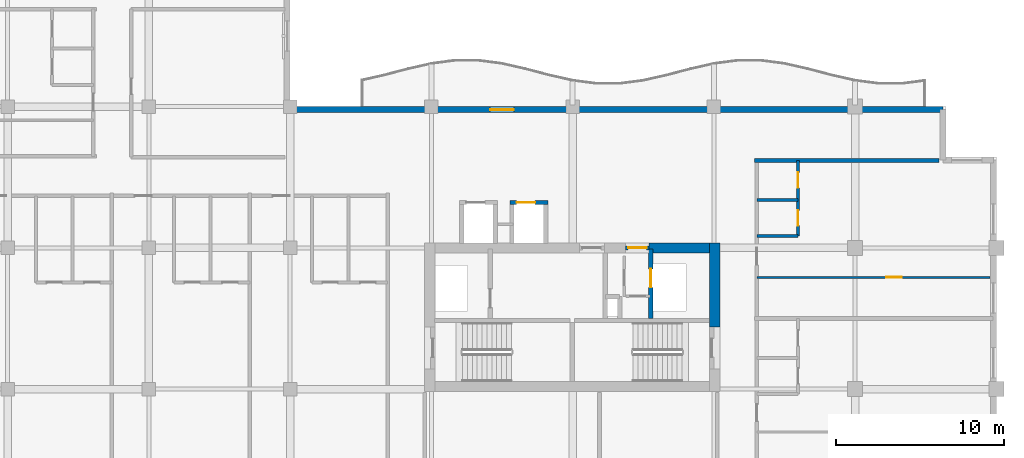
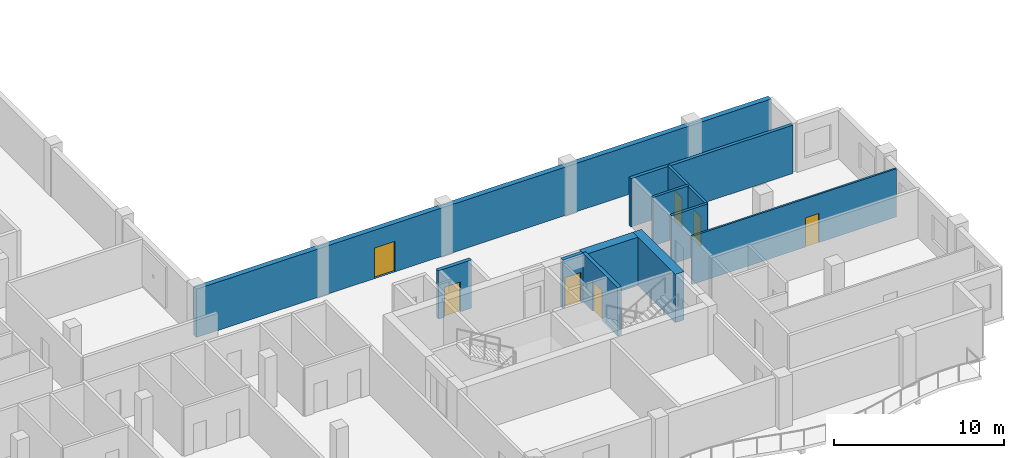
# One storey, part 5 of 12: 11 walls, 7 doors, 7 openings.
"""IFC4 building model written with IfcOpenShell, lengths in metres."""

from ifc_helpers import new_model, si_unit, direction, frame, frame_2d, origin, place, context, subcontext, project, spatial, rectangle, extrude, material, layer, layer_set, type_object, element, fill, save


model = new_model("IFC4")

# Units and contexts
model_context = context("Model", 3, precision=1e-05, world=origin(), true_north=direction((0.0, 1.0)))
body_context = subcontext(model_context, "Body", "Model", "MODEL_VIEW")
ifc_project = project(units=[si_unit("LENGTHUNIT", "METRE"), si_unit("AREAUNIT", "SQUARE_METRE"), si_unit("VOLUMEUNIT", "CUBIC_METRE"), si_unit("PLANEANGLEUNIT", "RADIAN"), si_unit("MASSUNIT", "GRAM", prefix="KILO")], contexts=[model_context])

# Site, building, storey
site_placement = place(None, origin())
site = spatial("IfcSite", under=ifc_project, at=site_placement, CompositionType="ELEMENT")
building_placement = place(site_placement, origin())
building = spatial("IfcBuilding", under=site, at=building_placement, Name="Koriwani Terraces Tower", CompositionType="ELEMENT")
storey_placement = place(building_placement, frame((0.0, 0.0, 249.0)))
storey = spatial("IfcBuildingStorey", under=building, at=storey_placement, Name="L61", CompositionType="ELEMENT", Elevation=249.0)

# Walls
ifc_material_1 = material(Name="Concrete C60/75", Category="concrete")
ifc_layer_1 = layer(ifc_material_1, 0.60009765625, Name="Concrete C60/75")
ifc_layer_set_1 = layer_set([ifc_layer_1], Name="Concrete C60/75")
wall_type_1 = type_object("IfcWallType", Name="WALL_CORE_RC_600", PredefinedType="SHEAR", material=ifc_layer_set_1)
wall_1_placement = place(storey_placement, frame((58.85009765625, 20.5, 0.0), z_axis=(0.0, 0.0, 1.0), x_axis=(0.0, 1.0, 0.0)))
element("IfcWall", 1, at=wall_1_placement, inside=storey, type_object=wall_type_1, Name="L61 East Split Core Shear Wall E2", PredefinedType="SHEAR", context=body_context, shape_type="SweptSolid", body=[
    extrude(rectangle(XDim=5.0, YDim=0.60009765625, at=frame_2d((2.5, 0.0))), origin(), (0.0, 0.0, 1.0), 3.469970703125),
])
wall_2_placement = place(storey_placement, frame((54.949951171875, 25.199951171875, 0.0), z_axis=(0.0, 0.0, 1.0), x_axis=(1.0, 0.0, 0.0)))
element("IfcWall", 2, at=wall_2_placement, inside=storey, type_object=wall_type_1, Name="L61 East Split Core Shear Wall N3", PredefinedType="SHEAR", context=body_context, shape_type="SweptSolid", body=[
    extrude(rectangle(XDim=3.60009765625, YDim=0.60009765625, at=frame_2d((1.800048828125, 0.0))), origin(), (0.0, 0.0, 1.0), 3.469970703125),
])
ifc_material_2 = material(Name="Autoclaved Cellular Concrete Blockwork", Category="masonry")
ifc_layer_2 = layer(ifc_material_2, 0.219970703125, Name="Autoclaved Cellular Concrete Blockwork")
ifc_layer_set_2 = layer_set([ifc_layer_2], Name="Autoclaved Cellular Concrete Blockwork")
wall_type_2 = type_object("IfcWallType", Name="WALL_DEMISING_220", PredefinedType="PARTITIONING", material=ifc_layer_set_2)
wall_3_placement = place(storey_placement, frame((61.199951171875, 30.39990234375, 0.0), z_axis=(0.0, 0.0, 1.0), x_axis=(1.0, 0.0, 0.0)))
element("IfcWall", 3, at=wall_3_placement, inside=storey, type_object=wall_type_2, Name="L61 Interior Wall WRDEME-L61-ETE", PredefinedType="PARTITIONING", context=body_context, shape_type="SweptSolid", body=[
    extrude(rectangle(XDim=10.97998046875, YDim=0.219970703125, at=frame_2d((5.489990234375, 0.0))), origin(), (0.0, 0.0, 1.0), 3.469970703125),
])

# Wall, opening, door
ifc_material_3 = material(Name="Concrete C50/60", Category="concrete")
ifc_layer_3 = layer(ifc_material_3, 0.35009765625, Name="Concrete C50/60")
ifc_layer_set_3 = layer_set([ifc_layer_3], Name="Concrete C50/60")
wall_type_3 = type_object("IfcWallType", Name="WALL_EXT_BRUTALIST_350", PredefinedType="STANDARD", material=ifc_layer_set_3)
wall_4_placement = place(storey_placement, frame((33.425048828125, 33.425048828125, 0.0), z_axis=(0.0, 0.0, 1.0), x_axis=(1.0, 0.0, 0.0)))
wall_4 = element("IfcWall", 4, at=wall_4_placement, inside=storey, type_object=wall_type_3, Name="L61 Fair-Faced Brutalist Exterior Wall (NE)", PredefinedType="STANDARD", context=body_context, shape_type="SweptSolid", body=[
    extrude(rectangle(XDim=39.0, YDim=0.35009765625, at=frame_2d((19.5, 0.0))), origin(), (0.0, 0.0, 1.0), 3.469970703125),
])
opening_1_placement = place(wall_4_placement, frame((12.074951171875, 0.0, 0.0)))
opening_1 = element("IfcOpeningElement", 5, at=opening_1_placement, cuts=wall_4, Name="Opening D-09", PredefinedType="OPENING", context=body_context, shape_type="SweptSolid", body=[
    extrude(rectangle(XDim=1.39990234375, YDim=2.199951171875, at=frame_2d((0.699951171875, 1.10009765625))), frame((0.0, 0.18505859375, 0.0), z_axis=(0.0, -1.0, 0.0), x_axis=(1.0, 0.0, 0.0)), (0.0, 0.0, 1.0), 0.3701171875),
])
ifc_material_4 = material(Name="Anodised Bronze Aluminium", Category="aluminium")
door_type_1 = type_object("IfcDoorType", Name="DOOR_BALCONY_GLAZED_1400X2200", OperationType="NOTDEFINED", PredefinedType="DOOR", material=ifc_material_4)
door_1_placement = place(opening_1_placement, origin())
door_1 = element("IfcDoor", 6, at=door_1_placement, inside=storey, type_object=door_type_1, Name="L61 Inner Court Balcony Glazed Door", OperationType="SINGLE_SWING_LEFT", OverallHeight=2.199951171875, OverallWidth=1.39990234375, PredefinedType="DOOR", context=body_context, shape_type="SweptSolid", body=[
    extrude(rectangle(XDim=1.39990234375, YDim=2.199951171875, at=frame_2d((0.699951171875, 1.10009765625))), frame((0.0, 0.02490234375, 0.0), z_axis=(0.0, -1.0, 0.0), x_axis=(1.0, 0.0, 0.0)), (0.0, 0.0, 1.0), 0.050048828125),
])
fill(opening_1, door_1)

ifc_material_5 = material(Name="Fire-Rated Acoustic Gypsum Partition", Category="masonry")
ifc_layer_4 = layer(ifc_material_5, 0.125, Name="Fire-Rated Acoustic Gypsum Partition")
ifc_layer_set_4 = layer_set([ifc_layer_4], Name="Fire-Rated Acoustic Gypsum Partition")
wall_type_4 = type_object("IfcWallType", Name="WALL_INT_125", PredefinedType="PARTITIONING", material=ifc_layer_set_4)
wall_5_placement = place(storey_placement, frame((61.35009765625, 23.449951171875, 0.0), z_axis=(0.0, 0.0, 1.0), x_axis=(1.0, 0.0, 0.0)))
wall_5 = element("IfcWall", 7, at=wall_5_placement, inside=storey, type_object=wall_type_4, Name="L61 Interior Wall WRBED1-L61-ETE-1", PredefinedType="PARTITIONING", context=body_context, shape_type="SweptSolid", body=[
    extrude(rectangle(XDim=13.869873046875, YDim=0.125, at=frame_2d((6.93505859375, 0.0))), origin(), (0.0, 0.0, 1.0), 3.469970703125),
])
opening_2_placement = place(wall_5_placement, frame((7.699951171875, 0.0, 0.0)))
opening_2 = element("IfcOpeningElement", 8, at=opening_2_placement, cuts=wall_5, Name="Opening D-06", PredefinedType="OPENING", context=body_context, shape_type="SweptSolid", body=[
    extrude(rectangle(XDim=0.919921875, YDim=2.10009765625, at=frame_2d((0.4599609375, 1.050048828125))), frame((0.0, 0.072509765625, 0.0), z_axis=(0.0, -1.0, 0.0), x_axis=(1.0, 0.0, 0.0)), (0.0, 0.0, 1.0), 0.14501953125),
])
ifc_material_6 = material(Name="Architectural Oak Fire Door", Category="wood")
door_type_2 = type_object("IfcDoorType", Name="DOOR_ROOM_INT_920X2100", OperationType="NOTDEFINED", PredefinedType="DOOR", material=ifc_material_6)
door_2_placement = place(opening_2_placement, origin())
door_2 = element("IfcDoor", 9, at=door_2_placement, inside=storey, type_object=door_type_2, Name="Apartment 61ETE2 Master Bedroom Door", OperationType="SINGLE_SWING_LEFT", OverallHeight=2.10009765625, OverallWidth=0.919921875, PredefinedType="DOOR", context=body_context, shape_type="SweptSolid", body=[
    extrude(rectangle(XDim=0.919921875, YDim=2.10009765625, at=frame_2d((0.4599609375, 1.050048828125))), frame((0.0, 0.02490234375, 0.0), z_axis=(0.0, -1.0, 0.0), x_axis=(1.0, 0.0, 0.0)), (0.0, 0.0, 1.0), 0.050048828125),
])
fill(opening_2, door_2)

# Wall, openings, doors
ifc_layer_5 = layer(ifc_material_5, 0.179931640625, Name="Fire-Rated Acoustic Gypsum Partition")
ifc_layer_set_5 = layer_set([ifc_layer_5], Name="Fire-Rated Acoustic Gypsum Partition")
wall_type_5 = type_object("IfcWallType", Name="WALL_PLUMBING_180", PredefinedType="PLUMBINGWALL", material=ifc_layer_set_5)
wall_6_placement = place(storey_placement, frame((63.800048828125, 25.89990234375, 0.0), z_axis=(0.0, 0.0, 1.0), x_axis=(0.0, 1.0, 0.0)))
wall_6 = element("IfcWall", 10, at=wall_6_placement, inside=storey, type_object=wall_type_5, Name="L61 Interior Wall WRSVC-L61-ETE-1", PredefinedType="PLUMBINGWALL", context=body_context, shape_type="SweptSolid", body=[
    extrude(rectangle(XDim=4.5, YDim=0.179931640625, at=frame_2d((2.25, 0.0))), origin(), (0.0, 0.0, 1.0), 3.469970703125),
])
opening_3_placement = place(wall_6_placement, frame((0.6298828125, 0.0, 0.0)))
opening_3 = element("IfcOpeningElement", 11, at=opening_3_placement, cuts=wall_6, Name="Opening D-07", PredefinedType="OPENING", context=body_context, shape_type="SweptSolid", body=[
    extrude(rectangle(XDim=0.89990234375, YDim=2.10009765625, at=frame_2d((0.449951171875, 1.050048828125))), frame((0.0, 0.10009765625, 0.0), z_axis=(0.0, -1.0, 0.0), x_axis=(1.0, 0.0, 0.0)), (0.0, 0.0, 1.0), 0.199951171875),
])
opening_4_placement = place(wall_6_placement, frame((2.8701171875, 0.0, 0.0)))
opening_4 = element("IfcOpeningElement", 12, at=opening_4_placement, cuts=wall_6, Name="Opening D-06", PredefinedType="OPENING", context=body_context, shape_type="SweptSolid", body=[
    extrude(rectangle(XDim=0.919921875, YDim=2.10009765625, at=frame_2d((0.4599609375, 1.050048828125))), frame((0.0, 0.10009765625, 0.0), z_axis=(0.0, -1.0, 0.0), x_axis=(1.0, 0.0, 0.0)), (0.0, 0.0, 1.0), 0.199951171875),
])
door_type_3 = type_object("IfcDoorType", Name="DOOR_BATH_INT_900X2100", OperationType="NOTDEFINED", PredefinedType="DOOR", material=ifc_material_6)
door_3_placement = place(opening_3_placement, origin())
door_3 = element("IfcDoor", 13, at=door_3_placement, inside=storey, type_object=door_type_3, Name="Apartment 61ETE2 Bathroom Door", OperationType="SINGLE_SWING_LEFT", OverallHeight=2.10009765625, OverallWidth=0.89990234375, PredefinedType="DOOR", context=body_context, shape_type="SweptSolid", body=[
    extrude(rectangle(XDim=0.89990234375, YDim=2.10009765625, at=frame_2d((0.449951171875, 1.050048828125))), frame((0.0, 0.02490234375, 0.0), z_axis=(0.0, -1.0, 0.0), x_axis=(1.0, 0.0, 0.0)), (0.0, 0.0, 1.0), 0.050048828125),
])
fill(opening_3, door_3)
door_4_placement = place(opening_4_placement, origin())
door_4 = element("IfcDoor", 14, at=door_4_placement, inside=storey, type_object=door_type_2, Name="Apartment 61ETE2 Kitchen Door", OperationType="SINGLE_SWING_RIGHT", OverallHeight=2.10009765625, OverallWidth=0.919921875, PredefinedType="DOOR", context=body_context, shape_type="SweptSolid", body=[
    extrude(rectangle(XDim=0.919921875, YDim=2.10009765625, at=frame_2d((0.4599609375, 1.050048828125))), frame((0.0, 0.02490234375, 0.0), z_axis=(0.0, -1.0, 0.0), x_axis=(1.0, 0.0, 0.0)), (0.0, 0.0, 1.0), 0.050048828125),
])
fill(opening_4, door_4)

# Walls
for number, where, z_axis, x_axis, name in (
    (15, (61.35009765625, 25.89990234375, 0.0), (0.0, 0.0, 1.0), (1.0, 0.0, 0.0), "L61 Interior Wall WRSVCS-L61-ETE-1"),
    (16, (61.35009765625, 28.06005859375, 0.0), (0.0, 0.0, 1.0), (1.0, 0.0, 0.0), "L61 Interior Wall WRSVCM-L61-ETE-1"),
):
    element("IfcWall", number, at=place(storey_placement, frame(where, z_axis=z_axis, x_axis=x_axis)), inside=storey, type_object=wall_type_5, Name=name, PredefinedType="PLUMBINGWALL", context=body_context, shape_type="SweptSolid", body=[
        extrude(rectangle(XDim=2.449951171875, YDim=0.179931640625, at=frame_2d((1.22509765625, 0.0))), origin(), (0.0, 0.0, 1.0), 3.469970703125),
    ])

# Wall, opening, door
ifc_material_7 = material(Name="Concrete C40/50", Category="concrete")
ifc_layer_6 = layer(ifc_material_7, 0.25, Name="Concrete C40/50")
ifc_layer_set_6 = layer_set([ifc_layer_6], Name="Concrete C40/50")
wall_type_6 = type_object("IfcWallType", Name="WALL_SHAFT_RATED_250", PredefinedType="SOLIDWALL", material=ifc_layer_set_6)
wall_7_placement = place(storey_placement, frame((55.050048828125, 21.0, 0.0), z_axis=(0.0, 0.0, 1.0), x_axis=(0.0, 1.0, 0.0)))
wall_7 = element("IfcWall", 17, at=wall_7_placement, inside=storey, type_object=wall_type_6, Name="L61 Interior Wall WIN-CE-L61-SE", PredefinedType="SOLIDWALL", context=body_context, shape_type="SweptSolid", body=[
    extrude(rectangle(XDim=4.14990234375, YDim=0.25, at=frame_2d((2.074951171875, 0.0))), origin(), (0.0, 0.0, 1.0), 3.469970703125),
])
opening_5_placement = place(wall_7_placement, frame((1.85009765625, 0.0, 0.0)))
opening_5 = element("IfcOpeningElement", 18, at=opening_5_placement, cuts=wall_7, Name="Opening LD-01", PredefinedType="OPENING", context=body_context, shape_type="SweptSolid", body=[
    extrude(rectangle(XDim=1.10009765625, YDim=2.14990234375, at=frame_2d((0.550048828125, 1.074951171875))), frame((0.0, 0.135009765625, 0.0), z_axis=(0.0, -1.0, 0.0), x_axis=(1.0, 0.0, 0.0)), (0.0, 0.0, 1.0), 0.27001953125),
])
ifc_material_8 = material(Name="Steel ASTM A572 Grade 50", Category="steel")
door_type_4 = type_object("IfcDoorType", Name="DOOR_LIFT_LANDING_1100X2200", OperationType="NOTDEFINED", PredefinedType="DOOR", material=ifc_material_8)
door_5_placement = place(opening_5_placement, origin())
door_5 = element("IfcDoor", 19, at=door_5_placement, inside=storey, type_object=door_type_4, Name="L61 Goods Lift SE-02 Landing Door", OperationType="SLIDING_TO_LEFT", OverallHeight=2.14990234375, OverallWidth=1.10009765625, PredefinedType="DOOR", context=body_context, shape_type="SweptSolid", body=[
    extrude(rectangle(XDim=1.10009765625, YDim=2.14990234375, at=frame_2d((0.550048828125, 1.074951171875))), frame((0.0, 0.02490234375, 0.0), z_axis=(0.0, -1.0, 0.0), x_axis=(1.0, 0.0, 0.0)), (0.0, 0.0, 1.0), 0.050048828125),
])
fill(opening_5, door_5)

wall_8_placement = place(storey_placement, frame((53.550048828125, 25.199951171875, 0.0), z_axis=(0.0, 0.0, 1.0), x_axis=(1.0, 0.0, 0.0)))
wall_8 = element("IfcWall", 20, at=wall_8_placement, inside=storey, type_object=wall_type_6, Name="L61 Interior Wall WIN-CE-L61-NP2", PredefinedType="SOLIDWALL", context=body_context, shape_type="SweptSolid", body=[
    extrude(rectangle(XDim=1.39990234375, YDim=0.25, at=frame_2d((0.699951171875, 0.0))), origin(), (0.0, 0.0, 1.0), 3.469970703125),
])
opening_6_placement = place(wall_8_placement, frame((0.14990234375, 0.0, 0.0)))
opening_6 = element("IfcOpeningElement", 21, at=opening_6_placement, cuts=wall_8, Name="Opening D-03", PredefinedType="OPENING", context=body_context, shape_type="SweptSolid", body=[
    extrude(rectangle(XDim=1.10009765625, YDim=2.14990234375, at=frame_2d((0.550048828125, 1.074951171875))), frame((0.0, 0.135009765625, 0.0), z_axis=(0.0, -1.0, 0.0), x_axis=(1.0, 0.0, 0.0)), (0.0, 0.0, 1.0), 0.27001953125),
])
door_type_5 = type_object("IfcDoorType", Name="DOOR_STAIR_FIRE_1100X2150", OperationType="NOTDEFINED", PredefinedType="DOOR", material=ifc_material_8)
door_6_placement = place(opening_6_placement, origin())
door_6 = element("IfcDoor", 22, at=door_6_placement, inside=storey, type_object=door_type_5, Name="L61 East Goods Lift Lobby Door", OperationType="SINGLE_SWING_RIGHT", OverallHeight=2.14990234375, OverallWidth=1.10009765625, PredefinedType="DOOR", context=body_context, shape_type="SweptSolid", body=[
    extrude(rectangle(XDim=1.10009765625, YDim=2.14990234375, at=frame_2d((0.550048828125, 1.074951171875))), frame((0.0, 0.02490234375, 0.0), z_axis=(0.0, -1.0, 0.0), x_axis=(1.0, 0.0, 0.0)), (0.0, 0.0, 1.0), 0.050048828125),
])
fill(opening_6, door_6)

wall_9_placement = place(storey_placement, frame((46.675048828125, 27.89990234375, 0.0), z_axis=(0.0, 0.0, 1.0), x_axis=(1.0, 0.0, 0.0)))
wall_9 = element("IfcWall", 23, at=wall_9_placement, inside=storey, type_object=wall_type_6, Name="L61 Interior Wall WIN-LF-PE-H4-L61-F", PredefinedType="SOLIDWALL", context=body_context, shape_type="SweptSolid", body=[
    extrude(rectangle(XDim=2.25, YDim=0.25, at=frame_2d((1.125, 0.0))), origin(), (0.0, 0.0, 1.0), 3.469970703125),
])
opening_7_placement = place(wall_9_placement, frame((0.39990234375, 0.0, 0.0)))
opening_7 = element("IfcOpeningElement", 24, at=opening_7_placement, cuts=wall_9, Name="Opening LD-01", PredefinedType="OPENING", context=body_context, shape_type="SweptSolid", body=[
    extrude(rectangle(XDim=1.10009765625, YDim=2.14990234375, at=frame_2d((0.550048828125, 1.074951171875))), frame((0.0, 0.135009765625, 0.0), z_axis=(0.0, -1.0, 0.0), x_axis=(1.0, 0.0, 0.0)), (0.0, 0.0, 1.0), 0.27001953125),
])
door_7_placement = place(opening_7_placement, origin())
door_7 = element("IfcDoor", 25, at=door_7_placement, inside=storey, type_object=door_type_4, Name="L61 Passenger Lift PE-H4 Landing Door", OperationType="SLIDING_TO_LEFT", OverallHeight=2.14990234375, OverallWidth=1.10009765625, PredefinedType="DOOR", context=body_context, shape_type="SweptSolid", body=[
    extrude(rectangle(XDim=1.10009765625, YDim=2.14990234375, at=frame_2d((0.550048828125, 1.074951171875))), frame((0.0, 0.02490234375, 0.0), z_axis=(0.0, -1.0, 0.0), x_axis=(1.0, 0.0, 0.0)), (0.0, 0.0, 1.0), 0.050048828125),
])
fill(opening_7, door_7)

save(model, "model.ifc")
